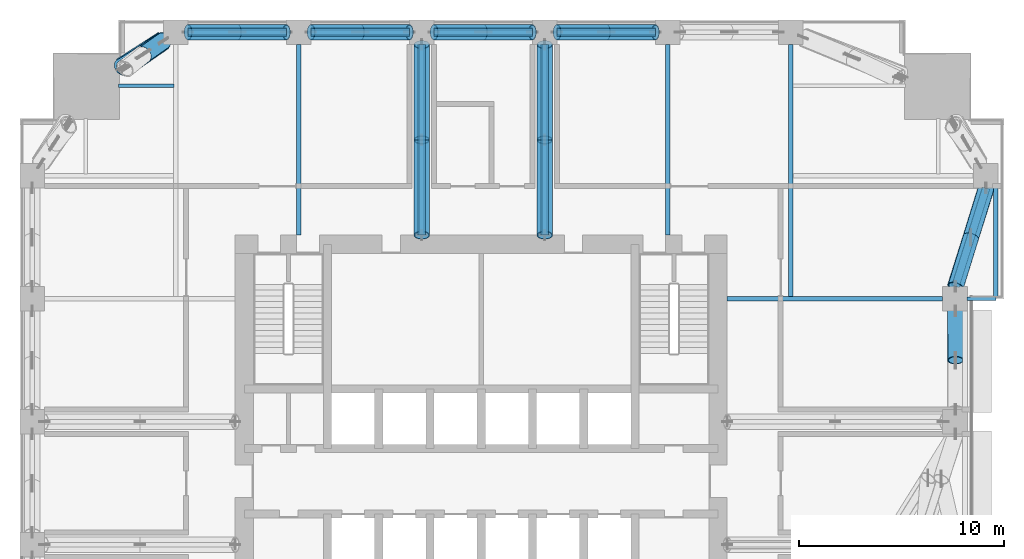
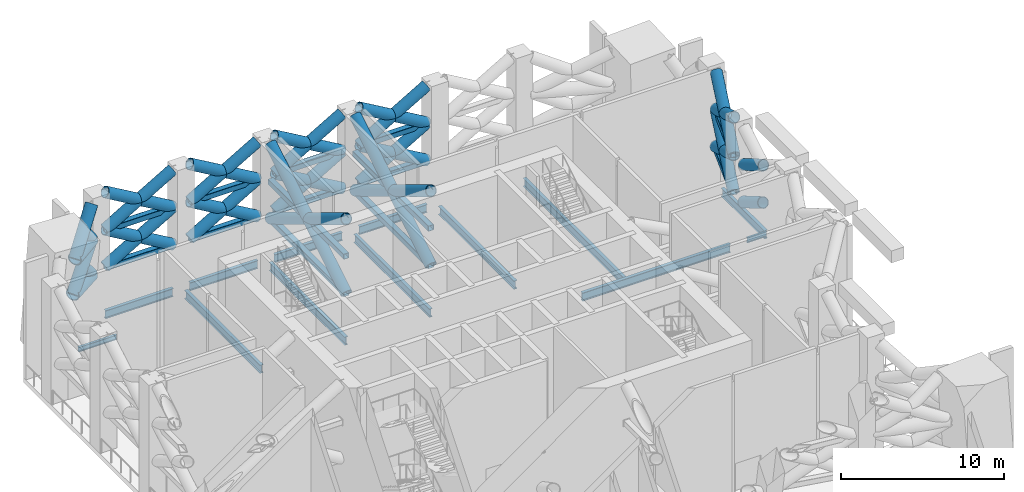
# One storey, part 5 of 18: 44 members, 29 beams.
"""IFC4 building model written with IfcOpenShell, lengths in metres."""

from ifc_helpers import new_model, si_unit, direction, frame, origin, origin_2d, place, context, subcontext, project, spatial, hollow_rectangle, hollow_circle, i_section, extrude, material, material_profile, profile_set, type_object, element, save


model = new_model("IFC4")

# Units and contexts
model_context = context("Model", 3, precision=1e-05, world=origin(), true_north=direction((0.0, 1.0)))
body_context = subcontext(model_context, "Body", "Model", "MODEL_VIEW")
ifc_project = project(units=[si_unit("LENGTHUNIT", "METRE"), si_unit("AREAUNIT", "SQUARE_METRE"), si_unit("VOLUMEUNIT", "CUBIC_METRE"), si_unit("PLANEANGLEUNIT", "RADIAN"), si_unit("MASSUNIT", "GRAM", prefix="KILO")], contexts=[model_context])

# Site, building, storey
site_placement = place(None, origin())
site = spatial("IfcSite", under=ifc_project, at=site_placement, CompositionType="ELEMENT")
building_placement = place(site_placement, origin())
building = spatial("IfcBuilding", under=site, at=building_placement, Name="Amberfall Residences", CompositionType="ELEMENT")
storey_placement = place(building_placement, frame((0.0, 0.0, 69.699951171875)))
storey = spatial("IfcBuildingStorey", under=building, at=storey_placement, Name="L19", CompositionType="ELEMENT", Elevation=69.699951171875)

# Beams
ifc_material = material(Name="Steel S355", Category="steel")
ifc_material_profile_1 = material_profile(ifc_material, hollow_circle(Radius=0.457275390625, WallThickness=0.06005859375, at=origin_2d()), Name="CHS 914.4x60")
ifc_profile_set_1 = profile_set([ifc_material_profile_1], Name="Steel S355")
beam_type_1 = type_object("IfcBeamType", Name="Belt truss chord BT CHS 914.4x60", PredefinedType="BEAM", material=ifc_profile_set_1)
beam_1_placement = place(storey_placement, frame((56.931640625, 65.69287109375, 3.0), z_axis=(0.842365287092, 0.538906970731, 0.0), x_axis=(-0.538906970731, 0.842365287092, 0.0)))
element("IfcBeam", 1, at=beam_1_placement, inside=storey, type_object=beam_type_1, Name="Belt truss chord BT2 L19 NWN", PredefinedType="BEAM", context=body_context, shape_type="SweptSolid", body=[
    extrude(hollow_circle(Radius=0.457275390625, WallThickness=0.06005859375, at=origin_2d()), origin(), (0.0, 0.0, 1.0), 2.455322265625),
])
beam_2_placement = place(storey_placement, frame((57.05322265625, 65.648193359375, 5.646484375), z_axis=(0.823903221011, 0.566730520096, 0.0), x_axis=(-0.566730520096, 0.823903221011, 0.0)))
element("IfcBeam", 2, at=beam_2_placement, inside=storey, type_object=beam_type_1, Name="Belt truss chord BT2 L19 NWNm", PredefinedType="BEAM", context=body_context, shape_type="SweptSolid", body=[
    extrude(hollow_circle(Radius=0.457275390625, WallThickness=0.06005859375, at=origin_2d()), origin(), (0.0, 0.0, 1.0), 2.36279296875),
])
ifc_material_profile_2 = material_profile(ifc_material, hollow_rectangle(XDim=0.39990234375, YDim=0.39990234375, WallThickness=0.02001953125, InnerFilletRadius=0.02001953125, OuterFilletRadius=0.030029296875, at=origin_2d()), Name="RHS 400x400x20")
ifc_profile_set_2 = profile_set([ifc_material_profile_2], Name="Steel S355")
beam_type_2 = type_object("IfcBeamType", Name="Belt truss chord BT RHS 400x400x20", PredefinedType="BEAM", material=ifc_profile_set_2)
for number, where, z_axis, x_axis, name in (
    (3, (97.617431640625, 55.0, 2.900146484375), (0.298272228898, 0.954480841855, 0.0), (-0.954480841855, 0.298272228898, 0.0), "Belt truss chord BT3 L19 E5"),
    (4, (97.63232421875, 55.0, 5.699951171875), (0.298272228898, 0.954480841855, 0.0), (-0.954480841855, 0.298272228898, 0.0), "Belt truss chord BT3 L19 E5m"),
):
    element("IfcBeam", number, at=place(storey_placement, frame(where, z_axis=z_axis, x_axis=x_axis)), inside=storey, type_object=beam_type_2, Name=name, PredefinedType="BEAM", context=body_context, shape_type="SweptSolid", body=[
        extrude(hollow_rectangle(XDim=0.39990234375, YDim=0.39990234375, WallThickness=0.02001953125, InnerFilletRadius=0.02001953125, OuterFilletRadius=0.030029296875, at=origin_2d()), origin(), (0.0, 0.0, 1.0), 5.029052734375),
    ])
for number, where, z_axis, x_axis, name in (
    (5, (60.199951171875, 67.39990234375, 2.900146484375), (1.0, 0.0, 0.0), (0.0, 1.0, 0.0), "Belt truss chord BT3 L19 N1"),
    (6, (60.199951171875, 67.39990234375, 5.699951171875), (1.0, 0.0, 0.0), (0.0, 1.0, 0.0), "Belt truss chord BT3 L19 N1m"),
    (7, (66.199951171875, 67.39990234375, 2.900146484375), (1.0, 0.0, 0.0), (0.0, 1.0, 0.0), "Belt truss chord BT3 L19 N2"),
    (8, (66.199951171875, 67.39990234375, 5.699951171875), (1.0, 0.0, 0.0), (0.0, 1.0, 0.0), "Belt truss chord BT3 L19 N2m"),
    (9, (72.199951171875, 67.39990234375, 2.900146484375), (1.0, 0.0, 0.0), (0.0, 1.0, 0.0), "Belt truss chord BT3 L19 N3"),
    (10, (72.199951171875, 67.39990234375, 5.699951171875), (1.0, 0.0, 0.0), (0.0, 1.0, 0.0), "Belt truss chord BT3 L19 N3m"),
    (11, (78.199951171875, 67.39990234375, 2.900146484375), (1.0, 0.0, 0.0), (0.0, 1.0, 0.0), "Belt truss chord BT3 L19 N4"),
    (12, (78.199951171875, 67.39990234375, 5.699951171875), (1.0, 0.0, 0.0), (0.0, 1.0, 0.0), "Belt truss chord BT3 L19 N4m"),
):
    element("IfcBeam", number, at=place(storey_placement, frame(where, z_axis=z_axis, x_axis=x_axis)), inside=storey, type_object=beam_type_2, Name=name, PredefinedType="BEAM", context=body_context, shape_type="SweptSolid", body=[
        extrude(hollow_rectangle(XDim=0.39990234375, YDim=0.39990234375, WallThickness=0.02001953125, InnerFilletRadius=0.02001953125, OuterFilletRadius=0.030029296875, at=origin_2d()), origin(), (0.0, 0.0, 1.0), 4.800048828125),
    ])

# Members
ifc_material_profile_3 = material_profile(ifc_material, hollow_circle(Radius=0.381103515625, WallThickness=0.0400390625, at=origin_2d()), Name="CHS 762x40")
ifc_profile_set_3 = profile_set([ifc_material_profile_3], Name="Steel S355")
member_type_1 = type_object("IfcMemberType", Name="Belt truss diagonal BT CHS 762x40", PredefinedType="BRACE", material=ifc_profile_set_3)
member_1_placement = place(storey_placement, frame((97.624755859375, 51.39990234375, 4.300048828125), z_axis=(-0.002635961489, 0.863804580046, -0.503820105989), x_axis=(-0.999995343988, -0.003051557351, 0.0)))
element("IfcMember", 13, at=member_1_placement, inside=storey, type_object=member_type_1, Name="Belt truss diagonal BT4 L19 E4e2", PredefinedType="BRACE", context=body_context, shape_type="SweptSolid", body=[
    extrude(hollow_circle(Radius=0.381103515625, WallThickness=0.0400390625, at=origin_2d()), origin(), (0.0, 0.0, 1.0), 2.778564453125),
])
member_2_placement = place(storey_placement, frame((97.639892578125, 51.39990234375, 7.10009765625), z_axis=(-0.002723705649, 0.863766136677, -0.503885545097), x_axis=(-0.999995028416, -0.003153274934, 0.0)))
element("IfcMember", 14, at=member_2_placement, inside=storey, type_object=member_type_1, Name="Belt truss diagonal BT4 L19 E4e2u", PredefinedType="BRACE", context=body_context, shape_type="SweptSolid", body=[
    extrude(hollow_circle(Radius=0.381103515625, WallThickness=0.0400390625, at=origin_2d()), origin(), (0.0, 0.0, 1.0), 2.77880859375),
])
member_3_placement = place(storey_placement, frame((97.617431640625, 55.0, 2.900146484375), z_axis=(0.263015365227, 0.833383577073, 0.486101564614), x_axis=(-0.953634697871, 0.300966548003, 0.0)))
element("IfcMember", 15, at=member_3_placement, inside=storey, type_object=member_type_1, Name="Belt truss diagonal BT4 L19 E5d", PredefinedType="BRACE", context=body_context, shape_type="SweptSolid", body=[
    extrude(hollow_circle(Radius=0.381103515625, WallThickness=0.0400390625, at=origin_2d()), origin(), (0.0, 0.0, 1.0), 5.759765625),
])
member_4_placement = place(storey_placement, frame((97.63232421875, 55.0, 5.699951171875), z_axis=(0.258161557112, 0.83450447432, -0.486780127747), x_axis=(-0.955330324649, 0.295540134004, 0.0)))
element("IfcMember", 16, at=member_4_placement, inside=storey, type_object=member_type_1, Name="Belt truss diagonal BT4 L19 E5e", PredefinedType="BRACE", context=body_context, shape_type="SweptSolid", body=[
    extrude(hollow_circle(Radius=0.381103515625, WallThickness=0.0400390625, at=origin_2d()), origin(), (0.0, 0.0, 1.0), 2.875732421875),
])
member_5_placement = place(storey_placement, frame((98.374755859375, 57.39990234375, 4.300048828125), z_axis=(0.25822249718, 0.834511955876, -0.486734976604), x_axis=(-0.955311374415, 0.295601383478, 0.0)))
element("IfcMember", 17, at=member_5_placement, inside=storey, type_object=member_type_1, Name="Belt truss diagonal BT4 L19 E5e2", PredefinedType="BRACE", context=body_context, shape_type="SweptSolid", body=[
    extrude(hollow_circle(Radius=0.381103515625, WallThickness=0.0400390625, at=origin_2d()), origin(), (0.0, 0.0, 1.0), 2.876220703125),
])
member_6_placement = place(storey_placement, frame((97.63232421875, 55.0, 5.699951171875), z_axis=(0.263049399849, 0.833357114152, 0.486128515447), x_axis=(-0.953620775853, 0.30101065739, 0.0)))
element("IfcMember", 18, at=member_6_placement, inside=storey, type_object=member_type_1, Name="Belt truss diagonal BT4 L19 E5du", PredefinedType="BRACE", context=body_context, shape_type="SweptSolid", body=[
    extrude(hollow_circle(Radius=0.381103515625, WallThickness=0.0400390625, at=origin_2d()), origin(), (0.0, 0.0, 1.0), 5.760009765625),
])
member_7_placement = place(storey_placement, frame((97.6474609375, 55.0, 8.5), z_axis=(0.258161557112, 0.83450447432, -0.486780127747), x_axis=(-0.955330324649, 0.295540134004, 0.0)))
element("IfcMember", 19, at=member_7_placement, inside=storey, type_object=member_type_1, Name="Belt truss diagonal BT4 L19 E5eu", PredefinedType="BRACE", context=body_context, shape_type="SweptSolid", body=[
    extrude(hollow_circle(Radius=0.381103515625, WallThickness=0.0400390625, at=origin_2d()), origin(), (0.0, 0.0, 1.0), 2.875732421875),
])
member_8_placement = place(storey_placement, frame((98.389892578125, 57.39990234375, 7.10009765625), z_axis=(0.258132602488, 0.834495762925, -0.486810416069), x_axis=(-0.955338812006, 0.295512697316, 0.0)))
element("IfcMember", 20, at=member_8_placement, inside=storey, type_object=member_type_1, Name="Belt truss diagonal BT4 L19 E5e2u", PredefinedType="BRACE", context=body_context, shape_type="SweptSolid", body=[
    extrude(hollow_circle(Radius=0.381103515625, WallThickness=0.0400390625, at=origin_2d()), origin(), (0.0, 0.0, 1.0), 2.876220703125),
])
member_9_placement = place(storey_placement, frame((60.199951171875, 67.39990234375, 2.900146484375), z_axis=(0.863796428652, 0.0, 0.503840976745), x_axis=(0.0, 1.0, 0.0)))
element("IfcMember", 21, at=member_9_placement, inside=storey, type_object=member_type_1, Name="Belt truss diagonal BT4 L19 N1d", PredefinedType="BRACE", context=body_context, shape_type="SweptSolid", body=[
    extrude(hollow_circle(Radius=0.381103515625, WallThickness=0.0400390625, at=origin_2d()), origin(), (0.0, 0.0, 1.0), 5.556884765625),
])
member_10_placement = place(storey_placement, frame((60.199951171875, 67.39990234375, 5.699951171875), z_axis=(0.863807581045, 0.0, -0.503821856343), x_axis=(0.0, 1.0, 0.0)))
element("IfcMember", 22, at=member_10_placement, inside=storey, type_object=member_type_1, Name="Belt truss diagonal BT4 L19 N1e", PredefinedType="BRACE", context=body_context, shape_type="SweptSolid", body=[
    extrude(hollow_circle(Radius=0.381103515625, WallThickness=0.0400390625, at=origin_2d()), origin(), (0.0, 0.0, 1.0), 2.778564453125),
])
member_11_placement = place(storey_placement, frame((62.60009765625, 67.39990234375, 4.300048828125), z_axis=(0.86378527499, 0.0, -0.503860098351), x_axis=(0.0, 1.0, 0.0)))
element("IfcMember", 23, at=member_11_placement, inside=storey, type_object=member_type_1, Name="Belt truss diagonal BT4 L19 N1e2", PredefinedType="BRACE", context=body_context, shape_type="SweptSolid", body=[
    extrude(hollow_circle(Radius=0.381103515625, WallThickness=0.0400390625, at=origin_2d()), origin(), (0.0, 0.0, 1.0), 2.7783203125),
])
member_12_placement = place(storey_placement, frame((60.199951171875, 67.39990234375, 5.699951171875), z_axis=(0.86377730745, 0.0, 0.503873757141), x_axis=(0.0, 1.0, 0.0)))
element("IfcMember", 24, at=member_12_placement, inside=storey, type_object=member_type_1, Name="Belt truss diagonal BT4 L19 N1du", PredefinedType="BRACE", context=body_context, shape_type="SweptSolid", body=[
    extrude(hollow_circle(Radius=0.381103515625, WallThickness=0.0400390625, at=origin_2d()), origin(), (0.0, 0.0, 1.0), 5.55712890625),
])
for number, where, z_axis, x_axis, name in (
    (25, (60.199951171875, 67.39990234375, 8.5), (0.863807581045, 0.0, -0.503821856343), (0.0, 1.0, 0.0), "Belt truss diagonal BT4 L19 N1eu"),
    (26, (62.60009765625, 67.39990234375, 7.10009765625), (0.863747029779, 0.0, -0.50392565776), (0.0, 1.0, 0.0), "Belt truss diagonal BT4 L19 N1e2u"),
):
    element("IfcMember", number, at=place(storey_placement, frame(where, z_axis=z_axis, x_axis=x_axis)), inside=storey, type_object=member_type_1, Name=name, PredefinedType="BRACE", context=body_context, shape_type="SweptSolid", body=[
        extrude(hollow_circle(Radius=0.381103515625, WallThickness=0.0400390625, at=origin_2d()), origin(), (0.0, 0.0, 1.0), 2.778564453125),
    ])
member_13_placement = place(storey_placement, frame((66.199951171875, 67.39990234375, 2.900146484375), z_axis=(0.863796428652, 0.0, 0.503840976745), x_axis=(0.0, 1.0, 0.0)))
element("IfcMember", 27, at=member_13_placement, inside=storey, type_object=member_type_1, Name="Belt truss diagonal BT4 L19 N2d", PredefinedType="BRACE", context=body_context, shape_type="SweptSolid", body=[
    extrude(hollow_circle(Radius=0.381103515625, WallThickness=0.0400390625, at=origin_2d()), origin(), (0.0, 0.0, 1.0), 5.556884765625),
])
member_14_placement = place(storey_placement, frame((66.199951171875, 67.39990234375, 5.699951171875), z_axis=(0.863807581045, 0.0, -0.503821856343), x_axis=(0.0, 1.0, 0.0)))
element("IfcMember", 28, at=member_14_placement, inside=storey, type_object=member_type_1, Name="Belt truss diagonal BT4 L19 N2e", PredefinedType="BRACE", context=body_context, shape_type="SweptSolid", body=[
    extrude(hollow_circle(Radius=0.381103515625, WallThickness=0.0400390625, at=origin_2d()), origin(), (0.0, 0.0, 1.0), 2.778564453125),
])
member_15_placement = place(storey_placement, frame((68.60009765625, 67.39990234375, 4.300048828125), z_axis=(0.86378527499, 0.0, -0.503860098351), x_axis=(0.0, 1.0, 0.0)))
element("IfcMember", 29, at=member_15_placement, inside=storey, type_object=member_type_1, Name="Belt truss diagonal BT4 L19 N2e2", PredefinedType="BRACE", context=body_context, shape_type="SweptSolid", body=[
    extrude(hollow_circle(Radius=0.381103515625, WallThickness=0.0400390625, at=origin_2d()), origin(), (0.0, 0.0, 1.0), 2.7783203125),
])
member_16_placement = place(storey_placement, frame((66.199951171875, 67.39990234375, 5.699951171875), z_axis=(0.86377730745, 0.0, 0.503873757141), x_axis=(0.0, 1.0, 0.0)))
element("IfcMember", 30, at=member_16_placement, inside=storey, type_object=member_type_1, Name="Belt truss diagonal BT4 L19 N2du", PredefinedType="BRACE", context=body_context, shape_type="SweptSolid", body=[
    extrude(hollow_circle(Radius=0.381103515625, WallThickness=0.0400390625, at=origin_2d()), origin(), (0.0, 0.0, 1.0), 5.55712890625),
])
for number, where, z_axis, x_axis, name in (
    (31, (66.199951171875, 67.39990234375, 8.5), (0.863807581045, 0.0, -0.503821856343), (0.0, 1.0, 0.0), "Belt truss diagonal BT4 L19 N2eu"),
    (32, (68.60009765625, 67.39990234375, 7.10009765625), (0.863747029779, 0.0, -0.50392565776), (0.0, 1.0, 0.0), "Belt truss diagonal BT4 L19 N2e2u"),
):
    element("IfcMember", number, at=place(storey_placement, frame(where, z_axis=z_axis, x_axis=x_axis)), inside=storey, type_object=member_type_1, Name=name, PredefinedType="BRACE", context=body_context, shape_type="SweptSolid", body=[
        extrude(hollow_circle(Radius=0.381103515625, WallThickness=0.0400390625, at=origin_2d()), origin(), (0.0, 0.0, 1.0), 2.778564453125),
    ])
member_17_placement = place(storey_placement, frame((72.199951171875, 67.39990234375, 2.900146484375), z_axis=(0.863796428652, 0.0, 0.503840976745), x_axis=(0.0, 1.0, 0.0)))
element("IfcMember", 33, at=member_17_placement, inside=storey, type_object=member_type_1, Name="Belt truss diagonal BT4 L19 N3d", PredefinedType="BRACE", context=body_context, shape_type="SweptSolid", body=[
    extrude(hollow_circle(Radius=0.381103515625, WallThickness=0.0400390625, at=origin_2d()), origin(), (0.0, 0.0, 1.0), 5.556884765625),
])
member_18_placement = place(storey_placement, frame((72.199951171875, 67.39990234375, 5.699951171875), z_axis=(0.863807581045, 0.0, -0.503821856343), x_axis=(0.0, 1.0, 0.0)))
element("IfcMember", 34, at=member_18_placement, inside=storey, type_object=member_type_1, Name="Belt truss diagonal BT4 L19 N3e", PredefinedType="BRACE", context=body_context, shape_type="SweptSolid", body=[
    extrude(hollow_circle(Radius=0.381103515625, WallThickness=0.0400390625, at=origin_2d()), origin(), (0.0, 0.0, 1.0), 2.778564453125),
])
member_19_placement = place(storey_placement, frame((74.60009765625, 67.39990234375, 4.300048828125), z_axis=(0.86378527499, 0.0, -0.503860098351), x_axis=(0.0, 1.0, 0.0)))
element("IfcMember", 35, at=member_19_placement, inside=storey, type_object=member_type_1, Name="Belt truss diagonal BT4 L19 N3e2", PredefinedType="BRACE", context=body_context, shape_type="SweptSolid", body=[
    extrude(hollow_circle(Radius=0.381103515625, WallThickness=0.0400390625, at=origin_2d()), origin(), (0.0, 0.0, 1.0), 2.7783203125),
])
member_20_placement = place(storey_placement, frame((72.199951171875, 67.39990234375, 5.699951171875), z_axis=(0.86377730745, 0.0, 0.503873757141), x_axis=(0.0, 1.0, 0.0)))
element("IfcMember", 36, at=member_20_placement, inside=storey, type_object=member_type_1, Name="Belt truss diagonal BT4 L19 N3du", PredefinedType="BRACE", context=body_context, shape_type="SweptSolid", body=[
    extrude(hollow_circle(Radius=0.381103515625, WallThickness=0.0400390625, at=origin_2d()), origin(), (0.0, 0.0, 1.0), 5.55712890625),
])
for number, where, z_axis, x_axis, name in (
    (37, (72.199951171875, 67.39990234375, 8.5), (0.863807581045, 0.0, -0.503821856343), (0.0, 1.0, 0.0), "Belt truss diagonal BT4 L19 N3eu"),
    (38, (74.60009765625, 67.39990234375, 7.10009765625), (0.863747029779, 0.0, -0.50392565776), (0.0, 1.0, 0.0), "Belt truss diagonal BT4 L19 N3e2u"),
):
    element("IfcMember", number, at=place(storey_placement, frame(where, z_axis=z_axis, x_axis=x_axis)), inside=storey, type_object=member_type_1, Name=name, PredefinedType="BRACE", context=body_context, shape_type="SweptSolid", body=[
        extrude(hollow_circle(Radius=0.381103515625, WallThickness=0.0400390625, at=origin_2d()), origin(), (0.0, 0.0, 1.0), 2.778564453125),
    ])
member_21_placement = place(storey_placement, frame((78.199951171875, 67.39990234375, 2.900146484375), z_axis=(0.863796428652, 0.0, 0.503840976745), x_axis=(0.0, 1.0, 0.0)))
element("IfcMember", 39, at=member_21_placement, inside=storey, type_object=member_type_1, Name="Belt truss diagonal BT4 L19 N4d", PredefinedType="BRACE", context=body_context, shape_type="SweptSolid", body=[
    extrude(hollow_circle(Radius=0.381103515625, WallThickness=0.0400390625, at=origin_2d()), origin(), (0.0, 0.0, 1.0), 5.556884765625),
])
member_22_placement = place(storey_placement, frame((78.199951171875, 67.39990234375, 5.699951171875), z_axis=(0.863807581045, 0.0, -0.503821856343), x_axis=(0.0, 1.0, 0.0)))
element("IfcMember", 40, at=member_22_placement, inside=storey, type_object=member_type_1, Name="Belt truss diagonal BT4 L19 N4e", PredefinedType="BRACE", context=body_context, shape_type="SweptSolid", body=[
    extrude(hollow_circle(Radius=0.381103515625, WallThickness=0.0400390625, at=origin_2d()), origin(), (0.0, 0.0, 1.0), 2.778564453125),
])
member_23_placement = place(storey_placement, frame((80.60009765625, 67.39990234375, 4.300048828125), z_axis=(0.86378527499, 0.0, -0.503860098351), x_axis=(0.0, 1.0, 0.0)))
element("IfcMember", 41, at=member_23_placement, inside=storey, type_object=member_type_1, Name="Belt truss diagonal BT4 L19 N4e2", PredefinedType="BRACE", context=body_context, shape_type="SweptSolid", body=[
    extrude(hollow_circle(Radius=0.381103515625, WallThickness=0.0400390625, at=origin_2d()), origin(), (0.0, 0.0, 1.0), 2.7783203125),
])
member_24_placement = place(storey_placement, frame((78.199951171875, 67.39990234375, 5.699951171875), z_axis=(0.86377730745, 0.0, 0.503873757141), x_axis=(0.0, 1.0, 0.0)))
element("IfcMember", 42, at=member_24_placement, inside=storey, type_object=member_type_1, Name="Belt truss diagonal BT4 L19 N4du", PredefinedType="BRACE", context=body_context, shape_type="SweptSolid", body=[
    extrude(hollow_circle(Radius=0.381103515625, WallThickness=0.0400390625, at=origin_2d()), origin(), (0.0, 0.0, 1.0), 5.55712890625),
])
for number, where, z_axis, x_axis, name in (
    (43, (78.199951171875, 67.39990234375, 8.5), (0.863807581045, 0.0, -0.503821856343), (0.0, 1.0, 0.0), "Belt truss diagonal BT4 L19 N4eu"),
    (44, (80.60009765625, 67.39990234375, 7.10009765625), (0.863747029779, 0.0, -0.50392565776), (0.0, 1.0, 0.0), "Belt truss diagonal BT4 L19 N4e2u"),
):
    element("IfcMember", number, at=place(storey_placement, frame(where, z_axis=z_axis, x_axis=x_axis)), inside=storey, type_object=member_type_1, Name=name, PredefinedType="BRACE", context=body_context, shape_type="SweptSolid", body=[
        extrude(hollow_circle(Radius=0.381103515625, WallThickness=0.0400390625, at=origin_2d()), origin(), (0.0, 0.0, 1.0), 2.778564453125),
    ])
ifc_material_profile_4 = material_profile(ifc_material, hollow_circle(Radius=0.406494140625, WallThickness=0.050048828125, at=origin_2d()), Name="CHS 813x50")
ifc_profile_set_4 = profile_set([ifc_material_profile_4], Name="Steel S355")
member_type_2 = type_object("IfcMemberType", Name="Belt truss diagonal BT CHS 813x50", PredefinedType="BRACE", material=ifc_profile_set_4)
member_25_placement = place(storey_placement, frame((56.931640625, 65.69287109375, 3.0), z_axis=(0.574598621302, 0.359598901103, 0.735204090524), x_axis=(-0.530502504505, 0.847683368195, 0.0)))
element("IfcMember", 45, at=member_25_placement, inside=storey, type_object=member_type_2, Name="Belt truss diagonal BT5 L19 NWNd", PredefinedType="BRACE", context=body_context, shape_type="SweptSolid", body=[
    extrude(hollow_circle(Radius=0.406494140625, WallThickness=0.050048828125, at=origin_2d()), origin(), (0.0, 0.0, 1.0), 3.599609375),
])
member_26_placement = place(storey_placement, frame((57.986083984375, 66.352783203125, 4.34912109375), z_axis=(0.559146355673, 0.365808005866, -0.744002591247), x_axis=(-0.547471931817, 0.836824045946, 0.0)))
element("IfcMember", 46, at=member_26_placement, inside=storey, type_object=member_type_2, Name="Belt truss diagonal BT5 L19 NWNe2", PredefinedType="BRACE", context=body_context, shape_type="SweptSolid", body=[
    extrude(hollow_circle(Radius=0.406494140625, WallThickness=0.050048828125, at=origin_2d()), origin(), (0.0, 0.0, 1.0), 1.813232421875),
])
member_27_placement = place(storey_placement, frame((57.05322265625, 65.648193359375, 5.646484375), z_axis=(0.550466287727, 0.370153026686, 0.74831383985), x_axis=(-0.558009945677, 0.829834260877, 0.0)))
element("IfcMember", 47, at=member_27_placement, inside=storey, type_object=member_type_2, Name="Belt truss diagonal BT5 L19 NWNdu", PredefinedType="BRACE", context=body_context, shape_type="SweptSolid", body=[
    extrude(hollow_circle(Radius=0.406494140625, WallThickness=0.050048828125, at=origin_2d()), origin(), (0.0, 0.0, 1.0), 3.53662109375),
])
member_28_placement = place(storey_placement, frame((58.046142578125, 66.31591796875, 6.996337890625), z_axis=(0.534669022749, 0.376334735746, -0.756638092342), x_axis=(-0.575581540256, 0.81774439192, 0.0)))
element("IfcMember", 48, at=member_28_placement, inside=storey, type_object=member_type_2, Name="Belt truss diagonal BT5 L19 NWNe2u", PredefinedType="BRACE", context=body_context, shape_type="SweptSolid", body=[
    extrude(hollow_circle(Radius=0.406494140625, WallThickness=0.050048828125, at=origin_2d()), origin(), (0.0, 0.0, 1.0), 1.783935546875),
])

# Beams
ifc_material_profile_5 = material_profile(ifc_material, i_section(OverallWidth=0.171142578125, OverallDepth=0.351318359375, WebThickness=0.007080078125, FlangeThickness=0.009765625, FilletRadius=0.01025390625, at=origin_2d()), Name="UB 356x171x45")
ifc_profile_set_5 = profile_set([ifc_material_profile_5], Name="Steel S355")
beam_type_3 = type_object("IfcBeamType", Name="Cantilever girder UB 356x171x45", PredefinedType="BEAM", material=ifc_profile_set_5)
beam_3_placement = place(storey_placement, frame((98.199951171875, 54.39990234375, -0.525634765625), z_axis=(1.0, 0.0, 0.0), x_axis=(0.0, 1.0, 0.0)))
element("IfcBeam", 49, at=beam_3_placement, inside=storey, type_object=beam_type_3, Name="Cantilever girder B8 L19 22", PredefinedType="BEAM", context=body_context, shape_type="SweptSolid", body=[
    extrude(i_section(OverallWidth=0.171142578125, OverallDepth=0.351318359375, WebThickness=0.007080078125, FlangeThickness=0.009765625, FilletRadius=0.01025390625, at=origin_2d()), origin(), (0.0, 0.0, 1.0), 1.400146484375),
])
ifc_material_profile_6 = material_profile(ifc_material, i_section(OverallWidth=0.228271484375, OverallDepth=0.607666015625, WebThickness=0.010986328125, FlangeThickness=0.017333984375, FilletRadius=0.0126953125, at=origin_2d()), Name="UB 610x229x113")
ifc_profile_set_6 = profile_set([ifc_material_profile_6], Name="Steel S355")
beam_type_4 = type_object("IfcBeamType", Name="Edge beam UB 610x229x113", PredefinedType="SPANDREL", material=ifc_profile_set_6)
beam_4_placement = place(storey_placement, frame((99.60009765625, 54.47998046875, -0.65380859375), z_axis=(0.0, 1.0, 0.0), x_axis=(-1.0, 0.0, 0.0)))
element("IfcBeam", 50, at=beam_4_placement, inside=storey, type_object=beam_type_4, Name="Edge beam B12 L19 19", PredefinedType="SPANDREL", context=body_context, shape_type="SweptSolid", body=[
    extrude(i_section(OverallWidth=0.228271484375, OverallDepth=0.607666015625, WebThickness=0.010986328125, FlangeThickness=0.017333984375, FilletRadius=0.0126953125, at=origin_2d()), origin(), (0.0, 0.0, 1.0), 5.320068359375),
])
for number, where, z_axis, x_axis, name in (
    (51, (60.199951171875, 67.39990234375, -0.65380859375), (1.0, 0.0, 0.0), (0.0, 1.0, 0.0), "Edge beam B12 L19 29"),
    (52, (66.199951171875, 67.39990234375, -0.65380859375), (1.0, 0.0, 0.0), (0.0, 1.0, 0.0), "Edge beam B12 L19 30"),
    (53, (72.199951171875, 67.39990234375, -0.65380859375), (1.0, 0.0, 0.0), (0.0, 1.0, 0.0), "Edge beam B12 L19 31"),
    (54, (78.199951171875, 67.39990234375, -0.65380859375), (1.0, 0.0, 0.0), (0.0, 1.0, 0.0), "Edge beam B12 L19 32"),
):
    element("IfcBeam", number, at=place(storey_placement, frame(where, z_axis=z_axis, x_axis=x_axis)), inside=storey, type_object=beam_type_4, Name=name, PredefinedType="SPANDREL", context=body_context, shape_type="SweptSolid", body=[
        extrude(i_section(OverallWidth=0.228271484375, OverallDepth=0.607666015625, WebThickness=0.010986328125, FlangeThickness=0.017333984375, FilletRadius=0.0126953125, at=origin_2d()), origin(), (0.0, 0.0, 1.0), 4.800048828125),
    ])
ifc_material_profile_7 = material_profile(ifc_material, i_section(OverallWidth=0.230224609375, OverallDepth=0.6171875, WebThickness=0.01318359375, FlangeThickness=0.022216796875, FilletRadius=0.0126953125, at=origin_2d()), Name="UB 610x229x140")
ifc_profile_set_7 = profile_set([ifc_material_profile_7], Name="Steel S355")
beam_type_5 = type_object("IfcBeamType", Name="Floor girder UB 610x229x140", PredefinedType="BEAM", material=ifc_profile_set_7)
beam_5_placement = place(storey_placement, frame((97.0, 54.39990234375, -0.658447265625), z_axis=(-1.0, 0.0, 0.0), x_axis=(0.0, -1.0, 0.0)))
element("IfcBeam", 55, at=beam_5_placement, inside=storey, type_object=beam_type_5, Name="Floor girder B13 L19 27", PredefinedType="BEAM", context=body_context, shape_type="SweptSolid", body=[
    extrude(i_section(OverallWidth=0.230224609375, OverallDepth=0.6171875, WebThickness=0.01318359375, FlangeThickness=0.022216796875, FilletRadius=0.0126953125, at=origin_2d()), origin(), (0.0, 0.0, 1.0), 10.5),
])
for number, where, z_axis, x_axis, name in (
    (56, (65.60009765625, 66.800048828125, -0.658447265625), (0.0, -1.0, 0.0), (1.0, 0.0, 0.0), "Floor girder B13 L19 35"),
    (57, (71.60009765625, 66.800048828125, -0.658447265625), (0.0, -1.0, 0.0), (1.0, 0.0, 0.0), "Floor girder B13 L19 36"),
    (58, (77.60009765625, 66.800048828125, -0.658447265625), (0.0, -1.0, 0.0), (1.0, 0.0, 0.0), "Floor girder B13 L19 37"),
    (59, (83.60009765625, 66.800048828125, -0.658447265625), (0.0, -1.0, 0.0), (1.0, 0.0, 0.0), "Floor girder B13 L19 38"),
):
    element("IfcBeam", number, at=place(storey_placement, frame(where, z_axis=z_axis, x_axis=x_axis)), inside=storey, type_object=beam_type_5, Name=name, PredefinedType="BEAM", context=body_context, shape_type="SweptSolid", body=[
        extrude(i_section(OverallWidth=0.230224609375, OverallDepth=0.6171875, WebThickness=0.01318359375, FlangeThickness=0.022216796875, FilletRadius=0.0126953125, at=origin_2d()), origin(), (0.0, 0.0, 1.0), 9.300048828125),
    ])
beam_6_placement = place(storey_placement, frame((89.60009765625, 66.800048828125, -0.658447265625), z_axis=(0.0, -1.0, 0.0), x_axis=(1.0, 0.0, 0.0)))
element("IfcBeam", 60, at=beam_6_placement, inside=storey, type_object=beam_type_5, Name="Floor girder B13 L19 39", PredefinedType="BEAM", context=body_context, shape_type="SweptSolid", body=[
    extrude(i_section(OverallWidth=0.230224609375, OverallDepth=0.6171875, WebThickness=0.01318359375, FlangeThickness=0.022216796875, FilletRadius=0.0126953125, at=origin_2d()), origin(), (0.0, 0.0, 1.0), 12.2900390625),
])
ifc_material_profile_8 = material_profile(ifc_material, i_section(OverallWidth=0.171142578125, OverallDepth=0.351318359375, WebThickness=0.007080078125, FlangeThickness=0.009765625, FilletRadius=0.01025390625, at=origin_2d()), Name="UB 356x171x45")
ifc_profile_set_8 = profile_set([ifc_material_profile_8], Name="Steel S355")
beam_type_6 = type_object("IfcBeamType", Name="Link beam UB 356x171x45", PredefinedType="BEAM", material=ifc_profile_set_8)
beam_7_placement = place(storey_placement, frame((56.800048828125, 64.800048828125, -0.525634765625), z_axis=(1.0, 0.0, 0.0), x_axis=(0.0, 1.0, 0.0)))
element("IfcBeam", 61, at=beam_7_placement, inside=storey, type_object=beam_type_6, Name="Link beam B7 L19 57", PredefinedType="BEAM", context=body_context, shape_type="SweptSolid", body=[
    extrude(i_section(OverallWidth=0.171142578125, OverallDepth=0.351318359375, WebThickness=0.007080078125, FlangeThickness=0.009765625, FilletRadius=0.01025390625, at=origin_2d()), origin(), (0.0, 0.0, 1.0), 2.70458984375),
])
ifc_material_profile_9 = material_profile(ifc_material, hollow_rectangle(XDim=0.39990234375, YDim=0.39990234375, WallThickness=0.02001953125, InnerFilletRadius=0.02001953125, OuterFilletRadius=0.030029296875, at=origin_2d()), Name="RHS 400x400x20")
ifc_profile_set_9 = profile_set([ifc_material_profile_9], Name="Steel S355")
beam_type_7 = type_object("IfcBeamType", Name="Outrigger truss chord OT RHS 400x400x20", PredefinedType="BEAM", material=ifc_profile_set_9)
for number, where, z_axis, x_axis, name in (
    (62, (71.60009765625, 66.800048828125, 2.900146484375), (0.0, -1.0, 0.0), (1.0, 0.0, 0.0), "Outrigger truss chord OT2 L19 3"),
    (63, (71.60009765625, 66.800048828125, 5.699951171875), (0.0, -1.0, 0.0), (1.0, 0.0, 0.0), "Outrigger truss chord OT2 L19 3m"),
    (64, (77.60009765625, 66.800048828125, 2.900146484375), (0.0, -1.0, 0.0), (1.0, 0.0, 0.0), "Outrigger truss chord OT2 L19 4"),
    (65, (77.60009765625, 66.800048828125, 5.699951171875), (0.0, -1.0, 0.0), (1.0, 0.0, 0.0), "Outrigger truss chord OT2 L19 4m"),
):
    element("IfcBeam", number, at=place(storey_placement, frame(where, z_axis=z_axis, x_axis=x_axis)), inside=storey, type_object=beam_type_7, Name=name, PredefinedType="BEAM", context=body_context, shape_type="SweptSolid", body=[
        extrude(hollow_rectangle(XDim=0.39990234375, YDim=0.39990234375, WallThickness=0.02001953125, InnerFilletRadius=0.02001953125, OuterFilletRadius=0.030029296875, at=origin_2d()), origin(), (0.0, 0.0, 1.0), 9.300048828125),
    ])

# Members
ifc_material_profile_10 = material_profile(ifc_material, hollow_circle(Radius=0.381103515625, WallThickness=0.0400390625, at=origin_2d()), Name="CHS 762x40")
ifc_profile_set_10 = profile_set([ifc_material_profile_10], Name="Steel S355")
member_type_3 = type_object("IfcMemberType", Name="Outrigger truss diagonal OT CHS 762x40", PredefinedType="BRACE", material=ifc_profile_set_10)
member_29_placement = place(storey_placement, frame((71.60009765625, 66.800048828125, 2.900146484375), z_axis=(0.0, -0.856702148985, 0.515811426711), x_axis=(1.0, 0.0, 0.0)))
element("IfcMember", 66, at=member_29_placement, inside=storey, type_object=member_type_3, Name="Outrigger truss diagonal OT3 L19 3.1", PredefinedType="BRACE", context=body_context, shape_type="SweptSolid", body=[
    extrude(hollow_circle(Radius=0.381103515625, WallThickness=0.0400390625, at=origin_2d()), origin(), (0.0, 0.0, 1.0), 5.427978515625),
])
member_30_placement = place(storey_placement, frame((71.60009765625, 62.14990234375, 5.699951171875), z_axis=(0.0, -0.856690181296, -0.515831303113), x_axis=(1.0, 0.0, 0.0)))
element("IfcMember", 67, at=member_30_placement, inside=storey, type_object=member_type_3, Name="Outrigger truss diagonal OT3 L19 3.2", PredefinedType="BRACE", context=body_context, shape_type="SweptSolid", body=[
    extrude(hollow_circle(Radius=0.381103515625, WallThickness=0.0400390625, at=origin_2d()), origin(), (0.0, 0.0, 1.0), 5.427734375),
])
for number, where, z_axis, x_axis, name in (
    (68, (71.60009765625, 66.800048828125, 8.5), (0.0, -0.856682273034, -0.515844436889), (1.0, 0.0, 0.0), "Outrigger truss diagonal OT3 L19 3.1u"),
    (69, (71.60009765625, 62.14990234375, 5.699951171875), (0.0, -0.856670304091, 0.515864313642), (1.0, 0.0, 0.0), "Outrigger truss diagonal OT3 L19 3.2u"),
    (70, (77.60009765625, 66.800048828125, 2.900146484375), (0.0, -0.856702148985, 0.515811426711), (1.0, 0.0, 0.0), "Outrigger truss diagonal OT3 L19 4.1"),
):
    element("IfcMember", number, at=place(storey_placement, frame(where, z_axis=z_axis, x_axis=x_axis)), inside=storey, type_object=member_type_3, Name=name, PredefinedType="BRACE", context=body_context, shape_type="SweptSolid", body=[
        extrude(hollow_circle(Radius=0.381103515625, WallThickness=0.0400390625, at=origin_2d()), origin(), (0.0, 0.0, 1.0), 5.427978515625),
    ])
member_31_placement = place(storey_placement, frame((77.60009765625, 62.14990234375, 5.699951171875), z_axis=(0.0, -0.856690181296, -0.515831303113), x_axis=(1.0, 0.0, 0.0)))
element("IfcMember", 71, at=member_31_placement, inside=storey, type_object=member_type_3, Name="Outrigger truss diagonal OT3 L19 4.2", PredefinedType="BRACE", context=body_context, shape_type="SweptSolid", body=[
    extrude(hollow_circle(Radius=0.381103515625, WallThickness=0.0400390625, at=origin_2d()), origin(), (0.0, 0.0, 1.0), 5.427734375),
])
for number, where, z_axis, x_axis, name in (
    (72, (77.60009765625, 66.800048828125, 8.5), (0.0, -0.856682273034, -0.515844436889), (1.0, 0.0, 0.0), "Outrigger truss diagonal OT3 L19 4.1u"),
    (73, (77.60009765625, 62.14990234375, 5.699951171875), (0.0, -0.856670304091, 0.515864313642), (1.0, 0.0, 0.0), "Outrigger truss diagonal OT3 L19 4.2u"),
):
    element("IfcMember", number, at=place(storey_placement, frame(where, z_axis=z_axis, x_axis=x_axis)), inside=storey, type_object=member_type_3, Name=name, PredefinedType="BRACE", context=body_context, shape_type="SweptSolid", body=[
        extrude(hollow_circle(Radius=0.381103515625, WallThickness=0.0400390625, at=origin_2d()), origin(), (0.0, 0.0, 1.0), 5.427978515625),
    ])

save(model, "model.ifc")
